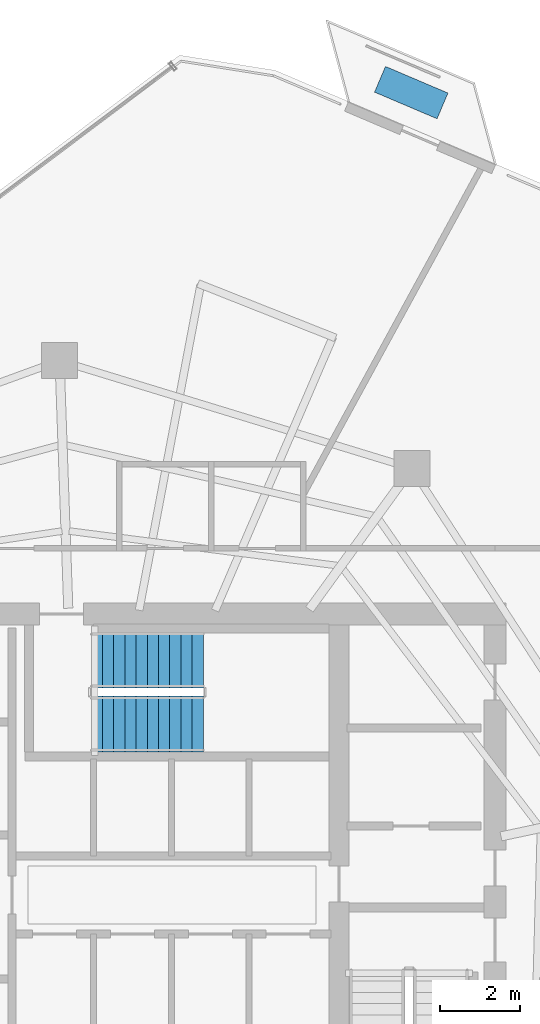
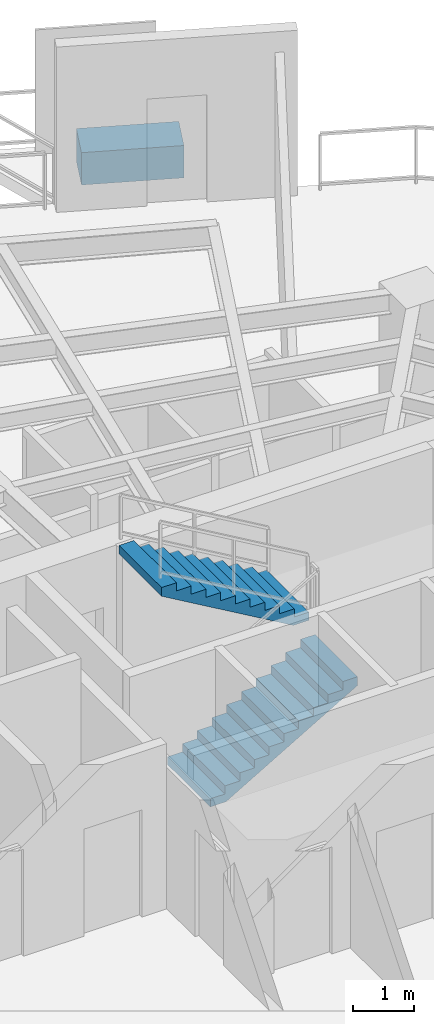
# One storey, part 16 of 18: 2 stair flights, 1 discrete accessory, 1 element without a shape of its own.
"""IFC4 building model written with IfcOpenShell, lengths in metres."""

from ifc_helpers import new_model, si_unit, direction, frame, origin, origin_2d, place, context, subcontext, project, spatial, polyline, rectangle, outline, extrude, material, type_object, element, aggregate, save


model = new_model("IFC4")

# Units and contexts
model_context = context("Model", 3, precision=1e-05, world=origin(), true_north=direction((0.0, 1.0)))
body_context = subcontext(model_context, "Body", "Model", "MODEL_VIEW")
ifc_project = project(units=[si_unit("LENGTHUNIT", "METRE"), si_unit("AREAUNIT", "SQUARE_METRE"), si_unit("VOLUMEUNIT", "CUBIC_METRE"), si_unit("PLANEANGLEUNIT", "RADIAN"), si_unit("MASSUNIT", "GRAM", prefix="KILO")], contexts=[model_context])

# Site, building, storey
site_placement = place(None, origin())
site = spatial("IfcSite", under=ifc_project, at=site_placement, CompositionType="ELEMENT")
building_placement = place(site_placement, origin())
building = spatial("IfcBuilding", under=site, at=building_placement, Name="Qarnah Convention Tower", CompositionType="ELEMENT")
storey_placement = place(building_placement, frame((0.0, 0.0, 205.800048828125)))
storey = spatial("IfcBuildingStorey", under=building, at=storey_placement, Name="L55", CompositionType="ELEMENT", Elevation=205.800048828125)

# Stair, stair flights
ifc_material_1 = material(Name="Concrete C50/60", Category="concrete")
stair_type = type_object("IfcStairType", Name="STR-OFF", PredefinedType="HALF_TURN_STAIR", material=ifc_material_1)
stair_placement = place(storey_placement, origin())
stair = element("IfcStair", 1, at=stair_placement, inside=storey, type_object=stair_type, Name="L55 Core exit stair ST-3", PredefinedType="HALF_TURN_STAIR")
stair_flight_type = type_object("IfcStairFlightType", Name="FLT-OFF", PredefinedType="STRAIGHT", material=ifc_material_1)
stair_flight_1_placement = place(storey_placement, frame((37.5, 31.449951171875, 0.0), z_axis=(0.0, 0.0, 1.0), x_axis=(1.0, 0.0, 0.0)))
stair_flight_1 = element("IfcStairFlight", 2, at=stair_flight_1_placement, type_object=stair_flight_type, Name="ST-3 flight 1", NumberOfRisers=11, NumberOfTreads=10, PredefinedType="STRAIGHT", RiserHeight=0.163636364, TreadLength=0.28, context=body_context, shape_type="SweptSolid", body=[
    extrude(outline(polyline([(0.0, 0.0), (0.0, 0.16357421875), (0.280029296875, 0.16357421875), (0.280029296875, 0.327392578125), (0.56005859375, 0.327392578125), (0.56005859375, 0.490966796875), (0.840087890625, 0.490966796875), (0.840087890625, 0.654541015625), (1.1201171875, 0.654541015625), (1.1201171875, 0.818115234375), (1.39990234375, 0.818115234375), (1.39990234375, 0.98193359375), (1.679931640625, 0.98193359375), (1.679931640625, 1.1455078125), (1.9599609375, 1.1455078125), (1.9599609375, 1.30908203125), (2.239990234375, 1.30908203125), (2.239990234375, 1.47265625), (2.52001953125, 1.47265625), (2.52001953125, 1.636474609375), (2.800048828125, 1.636474609375), (2.800048828125, 1.800048828125), (2.800048828125, 1.462646484375), (0.297119140625, 0.0), (0.0, 0.0)])), frame((0.0, 0.699951171875, 0.0), z_axis=(0.0, -1.0, 0.0), x_axis=(1.0, 0.0, 0.0)), (0.0, 0.0, 1.0), 1.39990234375),
])
stair_flight_2_placement = place(storey_placement, frame((40.300048828125, 33.050048828125, 1.800048828125), z_axis=(0.0, 0.0, 1.0), x_axis=(-1.0, 0.0, 0.0)))
stair_flight_2 = element("IfcStairFlight", 3, at=stair_flight_2_placement, type_object=stair_flight_type, Name="ST-3 flight 2", NumberOfRisers=11, NumberOfTreads=10, PredefinedType="STRAIGHT", RiserHeight=0.163636364, TreadLength=0.28, context=body_context, shape_type="SweptSolid", body=[
    extrude(outline(polyline([(0.0, 0.0), (0.0, 0.16357421875), (0.280029296875, 0.16357421875), (0.280029296875, 0.327392578125), (0.56005859375, 0.327392578125), (0.56005859375, 0.490966796875), (0.840087890625, 0.490966796875), (0.840087890625, 0.654541015625), (1.1201171875, 0.654541015625), (1.1201171875, 0.818115234375), (1.39990234375, 0.818115234375), (1.39990234375, 0.98193359375), (1.679931640625, 0.98193359375), (1.679931640625, 1.1455078125), (1.9599609375, 1.1455078125), (1.9599609375, 1.30908203125), (2.239990234375, 1.30908203125), (2.239990234375, 1.47265625), (2.52001953125, 1.47265625), (2.52001953125, 1.636474609375), (2.800048828125, 1.636474609375), (2.800048828125, 1.800048828125), (2.800048828125, 1.462646484375), (0.297119140625, 0.0), (0.0, 0.0)])), frame((0.0, 0.699951171875, 0.0), z_axis=(0.0, -1.0, 0.0), x_axis=(1.0, 0.0, 0.0)), (0.0, 0.0, 1.0), 1.39990234375),
])
aggregate(stair, [stair_flight_1, stair_flight_2])

# Discrete accessory
ifc_material_2 = material(Name="Precast concrete C45/55", Category="concrete")
discrete_accessory_type = type_object("IfcDiscreteAccessoryType", Name="ACC-PLANTER-900", PredefinedType="USERDEFINED", material=ifc_material_2)
discrete_accessory_placement = place(storey_placement, frame((45.5029296875, 47.248046875, 0.0), z_axis=(0.0, 0.0, 1.0), x_axis=(-0.920163525759, 0.391534271632, 0.0)))
element("IfcDiscreteAccessory", 4, at=discrete_accessory_placement, inside=storey, type_object=discrete_accessory_type, Name="L55 irrigated desert balcony PLANTER BAL-L55-C1", ObjectType="PLANTER", PredefinedType="USERDEFINED", context=body_context, shape_type="SweptSolid", body=[
    extrude(rectangle(XDim=1.699951171875, YDim=0.699951171875, at=origin_2d()), origin(), (0.0, 0.0, 1.0), 0.64990234375),
])

save(model, "model.ifc")
